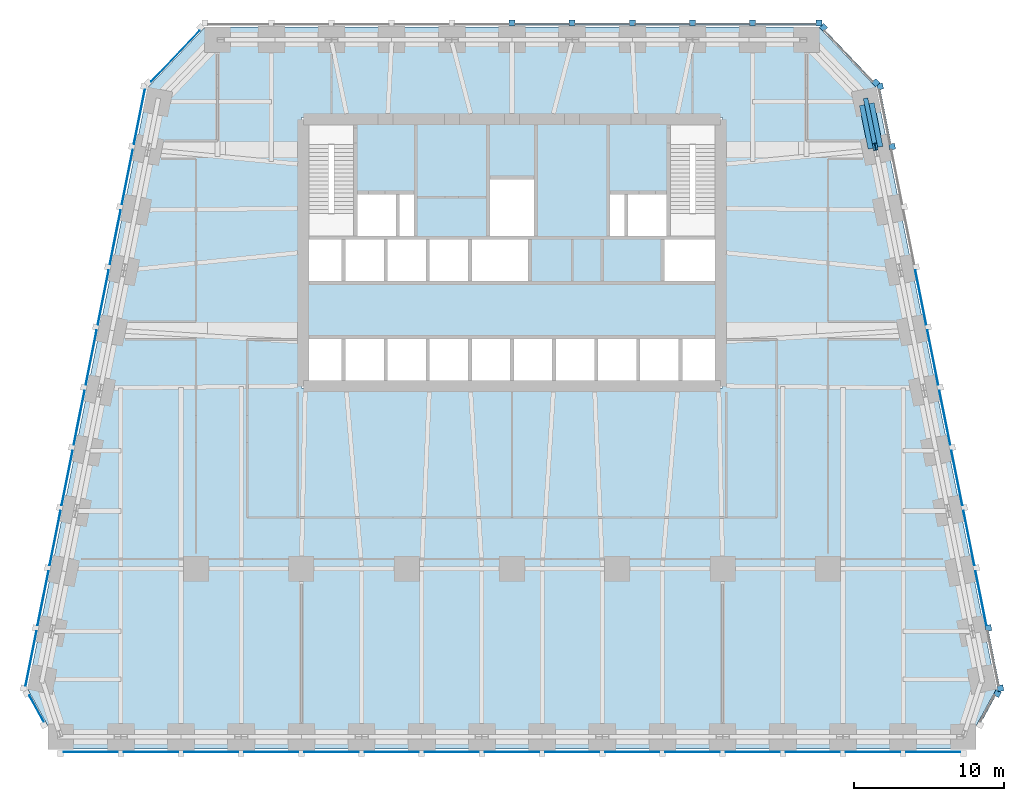
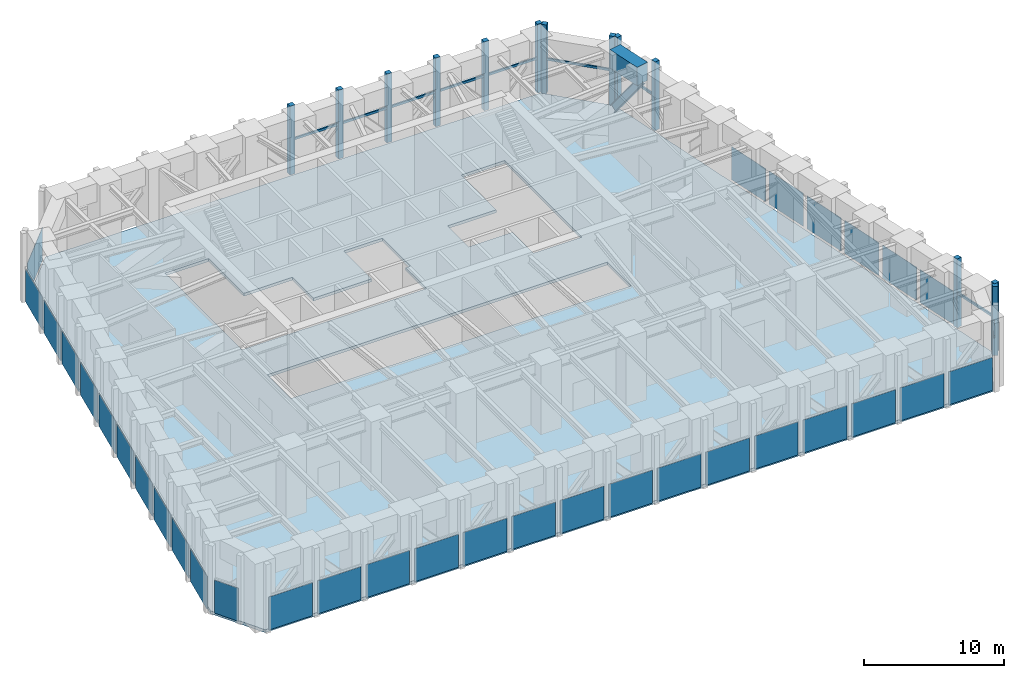
# One storey, part 5 of 9: 33 plates, 23 members, 1 beam, 1 slab, 8 elements without a shape of their own.
"""IFC4 building model written with IfcOpenShell, lengths in metres."""

from ifc_helpers import new_model, si_unit, direction, frame, origin, origin_2d, place, context, subcontext, project, spatial, polyline, rectangle, i_section, outline, extrude, material, layer, layer_set, material_profile, profile_set, type_object, element, aggregate, save


model = new_model("IFC4")

# Units and contexts
model_context = context("Model", 3, precision=1e-05, world=origin(), true_north=direction((0.0, 1.0)))
body_context = subcontext(model_context, "Body", "Model", "MODEL_VIEW")
ifc_project = project(units=[si_unit("LENGTHUNIT", "METRE"), si_unit("AREAUNIT", "SQUARE_METRE"), si_unit("VOLUMEUNIT", "CUBIC_METRE"), si_unit("PLANEANGLEUNIT", "RADIAN"), si_unit("MASSUNIT", "GRAM", prefix="KILO")], contexts=[model_context])

# Site, building, storey
site_placement = place(None, origin())
site = spatial("IfcSite", under=ifc_project, at=site_placement, CompositionType="ELEMENT")
building_placement = place(site_placement, origin())
building = spatial("IfcBuilding", under=site, at=building_placement, Name="Isbrekke Arena Tower", CompositionType="ELEMENT")
storey_placement = place(building_placement, frame((0.0, 0.0, 167.0)))
storey = spatial("IfcBuildingStorey", under=building, at=storey_placement, Name="L38", CompositionType="ELEMENT", Elevation=167.0)

# Member
ifc_material_1 = material(Name="Steel S355", Category="steel")
ifc_material_profile_1 = material_profile(ifc_material_1, i_section(OverallWidth=0.304931640625, OverallDepth=0.6201171875, WebThickness=0.02099609375, FlangeThickness=0.0400390625, FilletRadius=0.027099609375, at=origin_2d()), Name="HEM 600")
ifc_profile_set_1 = profile_set([ifc_material_profile_1], Name="Steel S355")
member_type_1 = type_object("IfcMemberType", Name="BT1 HEM 600", PredefinedType="BRACE", material=ifc_profile_set_1)
member_1_placement = place(storey_placement, frame((24.149658203125, 22.04443359375, 4.6220703125), z_axis=(-0.118343216485, 0.591764484557, -0.797376747798), x_axis=(-0.980583760369, -0.196100711116, 0.0)))
element("IfcMember", 1, at=member_1_placement, inside=storey, type_object=member_type_1, Name="BT1 belt truss diagonal E10 L38", PredefinedType="BRACE", context=body_context, shape_type="SweptSolid", body=[
    extrude(i_section(OverallWidth=0.304931640625, OverallDepth=0.6201171875, WebThickness=0.02099609375, FlangeThickness=0.0400390625, FilletRadius=0.027099609375, at=origin_2d()), origin(), (0.0, 0.0, 1.0), 5.0439453125),
])

# Curtain wall, member
ifc_material_2 = material(Name="Glazed aluminium curtain wall", Category="aluminium")
curtain_wall_type = type_object("IfcCurtainWallType", Name="CWR PLANT LOUVRE WALL", PredefinedType="USERDEFINED", material=ifc_material_2)
curtain_wall_1_placement = place(storey_placement, origin())
curtain_wall_1 = element("IfcCurtainWall", 2, at=curtain_wall_1_placement, inside=storey, type_object=curtain_wall_type, Name="CWR curtain wall L38-SE", ObjectType="PLANT LOUVRE WALL", PredefinedType="USERDEFINED")
ifc_material_3 = material(Name="Aluminium mullion, pale brick slip cladding", Category="masonry")
ifc_material_profile_2 = material_profile(ifc_material_3, rectangle(XDim=0.39990234375, YDim=0.39990234375, at=origin_2d()), Name="PIER 400X400")
ifc_profile_set_2 = profile_set([ifc_material_profile_2], Name="Aluminium mullion, pale brick slip cladding")
member_type_2 = type_object("IfcMemberType", Name="CWR-M PIER MULLION 400 x 400", PredefinedType="MULLION", material=ifc_profile_set_2)
member_2_placement = place(storey_placement, frame((32.264404296875, -14.2978515625, 0.0), z_axis=(0.0, 0.0, 1.0), x_axis=(0.481918749773, 0.876215908676, 0.0)))
member_2 = element("IfcMember", 3, at=member_2_placement, type_object=member_type_2, Name="CWR-M mullion 2", PredefinedType="MULLION", context=body_context, shape_type="SweptSolid", body=[
    extrude(rectangle(XDim=0.39990234375, YDim=0.39990234375, at=origin_2d()), origin(), (0.0, 0.0, 1.0), 6.0),
])

# Curtain wall, members
curtain_wall_2_placement = place(storey_placement, origin())
curtain_wall_2 = element("IfcCurtainWall", 4, at=curtain_wall_2_placement, inside=storey, type_object=curtain_wall_type, Name="CWR curtain wall L38-E", ObjectType="PLANT LOUVRE WALL", PredefinedType="USERDEFINED")
member_3_placement = place(storey_placement, frame((32.4697265625, -13.946044921875, 0.0), z_axis=(0.0, 0.0, 1.0), x_axis=(-0.196116135138, 0.980580675691, 0.0)))
member_3 = element("IfcMember", 5, at=member_3_placement, type_object=member_type_2, Name="CWR-M mullion 1", PredefinedType="MULLION", context=body_context, shape_type="SweptSolid", body=[
    extrude(rectangle(XDim=0.39990234375, YDim=0.39990234375, at=origin_2d()), origin(), (0.0, 0.0, 1.0), 6.0),
])
member_4_placement = place(storey_placement, frame((31.669677734375, -9.946044921875, 0.0), z_axis=(0.0, 0.0, 1.0), x_axis=(-0.196116135138, 0.980580675691, 0.0)))
member_4 = element("IfcMember", 6, at=member_4_placement, type_object=member_type_2, Name="CWR-M mullion 2", PredefinedType="MULLION", context=body_context, shape_type="SweptSolid", body=[
    extrude(rectangle(XDim=0.39990234375, YDim=0.39990234375, at=origin_2d()), origin(), (0.0, 0.0, 1.0), 6.0),
])
member_5_placement = place(storey_placement, frame((25.269775390625, 22.053955078125, 0.0), z_axis=(0.0, 0.0, 1.0), x_axis=(-0.196116135138, 0.980580675691, 0.0)))
member_5 = element("IfcMember", 7, at=member_5_placement, type_object=member_type_2, Name="CWR-M mullion 10", PredefinedType="MULLION", context=body_context, shape_type="SweptSolid", body=[
    extrude(rectangle(XDim=0.39990234375, YDim=0.39990234375, at=origin_2d()), origin(), (0.0, 0.0, 1.0), 6.0),
])
member_6_placement = place(storey_placement, frame((24.4697265625, 26.053955078125, 0.0), z_axis=(0.0, 0.0, 1.0), x_axis=(-0.196116135138, 0.980580675691, 0.0)))
member_6 = element("IfcMember", 8, at=member_6_placement, type_object=member_type_2, Name="CWR-M mullion 11", PredefinedType="MULLION", context=body_context, shape_type="SweptSolid", body=[
    extrude(rectangle(XDim=0.39990234375, YDim=0.39990234375, at=origin_2d()), origin(), (0.0, 0.0, 1.0), 6.0),
])

curtain_wall_3_placement = place(storey_placement, origin())
curtain_wall_3 = element("IfcCurtainWall", 9, at=curtain_wall_3_placement, inside=storey, type_object=curtain_wall_type, Name="CWR curtain wall L38-EN", ObjectType="PLANT LOUVRE WALL", PredefinedType="USERDEFINED")
member_7_placement = place(storey_placement, frame((24.189208984375, 26.3017578125, 0.0), z_axis=(0.0, 0.0, 1.0), x_axis=(-0.68874946192, 0.72499943359, 0.0)))
member_7 = element("IfcMember", 10, at=member_7_placement, type_object=member_type_2, Name="CWR-M mullion 1", PredefinedType="MULLION", context=body_context, shape_type="SweptSolid", body=[
    extrude(rectangle(XDim=0.39990234375, YDim=0.39990234375, at=origin_2d()), origin(), (0.0, 0.0, 1.0), 6.0),
])
member_8_placement = place(storey_placement, frame((20.705322265625, 29.968994140625, 0.0), z_axis=(0.0, 0.0, 1.0), x_axis=(-0.68874946192, 0.72499943359, 0.0)))
member_8 = element("IfcMember", 11, at=member_8_placement, type_object=member_type_2, Name="CWR-M mullion 2", PredefinedType="MULLION", context=body_context, shape_type="SweptSolid", body=[
    extrude(rectangle(XDim=0.39990234375, YDim=0.39990234375, at=origin_2d()), origin(), (0.0, 0.0, 1.0), 6.0),
])

curtain_wall_4_placement = place(storey_placement, origin())
curtain_wall_4 = element("IfcCurtainWall", 12, at=curtain_wall_4_placement, inside=storey, type_object=curtain_wall_type, Name="CWR curtain wall L38-N", ObjectType="PLANT LOUVRE WALL", PredefinedType="USERDEFINED")
member_9_placement = place(storey_placement, frame((20.39990234375, 30.27490234375, 0.0), z_axis=(0.0, 0.0, 1.0), x_axis=(-1.0, 0.0, 0.0)))
member_9 = element("IfcMember", 13, at=member_9_placement, type_object=member_type_2, Name="CWR-M mullion 1", PredefinedType="MULLION", context=body_context, shape_type="SweptSolid", body=[
    extrude(rectangle(XDim=0.39990234375, YDim=0.39990234375, at=origin_2d()), origin(), (0.0, 0.0, 1.0), 6.0),
])
member_10_placement = place(storey_placement, frame((16.0, 30.27490234375, 0.0), z_axis=(0.0, 0.0, 1.0), x_axis=(-1.0, 0.0, 0.0)))
member_10 = element("IfcMember", 14, at=member_10_placement, type_object=member_type_2, Name="CWR-M mullion 2", PredefinedType="MULLION", context=body_context, shape_type="SweptSolid", body=[
    extrude(rectangle(XDim=0.39990234375, YDim=0.39990234375, at=origin_2d()), origin(), (0.0, 0.0, 1.0), 6.0),
])
member_11_placement = place(storey_placement, frame((12.0, 30.27490234375, 0.0), z_axis=(0.0, 0.0, 1.0), x_axis=(-1.0, 0.0, 0.0)))
member_11 = element("IfcMember", 15, at=member_11_placement, type_object=member_type_2, Name="CWR-M mullion 3", PredefinedType="MULLION", context=body_context, shape_type="SweptSolid", body=[
    extrude(rectangle(XDim=0.39990234375, YDim=0.39990234375, at=origin_2d()), origin(), (0.0, 0.0, 1.0), 6.0),
])
member_12_placement = place(storey_placement, frame((8.0, 30.27490234375, 0.0), z_axis=(0.0, 0.0, 1.0), x_axis=(-1.0, 0.0, 0.0)))
member_12 = element("IfcMember", 16, at=member_12_placement, type_object=member_type_2, Name="CWR-M mullion 4", PredefinedType="MULLION", context=body_context, shape_type="SweptSolid", body=[
    extrude(rectangle(XDim=0.39990234375, YDim=0.39990234375, at=origin_2d()), origin(), (0.0, 0.0, 1.0), 6.0),
])
member_13_placement = place(storey_placement, frame((4.0, 30.27490234375, 0.0), z_axis=(0.0, 0.0, 1.0), x_axis=(-1.0, 0.0, 0.0)))
member_13 = element("IfcMember", 17, at=member_13_placement, type_object=member_type_2, Name="CWR-M mullion 5", PredefinedType="MULLION", context=body_context, shape_type="SweptSolid", body=[
    extrude(rectangle(XDim=0.39990234375, YDim=0.39990234375, at=origin_2d()), origin(), (0.0, 0.0, 1.0), 6.0),
])
member_14_placement = place(storey_placement, frame((0.0, 30.27490234375, 0.0), z_axis=(0.0, 0.0, 1.0), x_axis=(-1.0, 0.0, 0.0)))
member_14 = element("IfcMember", 18, at=member_14_placement, type_object=member_type_2, Name="CWR-M mullion 6", PredefinedType="MULLION", context=body_context, shape_type="SweptSolid", body=[
    extrude(rectangle(XDim=0.39990234375, YDim=0.39990234375, at=origin_2d()), origin(), (0.0, 0.0, 1.0), 6.0),
])

# Member
ifc_material_4 = material(Name="Aluminium transom", Category="aluminium")
ifc_material_profile_3 = material_profile(ifc_material_4, rectangle(XDim=0.1201171875, YDim=0.199951171875, at=origin_2d()), Name="TRANSOM 120X200")
ifc_profile_set_3 = profile_set([ifc_material_profile_3], Name="Aluminium transom")
member_type_3 = type_object("IfcMemberType", Name="CWR-T TRANSOM 120 x 200", PredefinedType="USERDEFINED", material=ifc_profile_set_3)
member_15_placement = place(storey_placement, frame((31.128173828125, -16.156494140625, 3.0), z_axis=(0.481904523192, 0.876223733145, 0.0), x_axis=(-0.876223733145, 0.481904523192, 0.0)))
member_15 = element("IfcMember", 19, at=member_15_placement, type_object=member_type_3, Name="CWR-T transom 1", ObjectType="TRANSOM", PredefinedType="USERDEFINED", context=body_context, shape_type="SweptSolid", body=[
    extrude(rectangle(XDim=0.1201171875, YDim=0.199951171875, at=origin_2d()), origin(), (0.0, 0.0, 1.0), 1.976318359375),
])

aggregate(curtain_wall_1, [member_2, member_15])

member_16_placement = place(storey_placement, frame((32.332275390625, -13.76953125, 3.0), z_axis=(-0.19609061241, 0.980585779891, 0.0), x_axis=(-0.980585779891, -0.19609061241, 0.0)))
member_16 = element("IfcMember", 20, at=member_16_placement, type_object=member_type_3, Name="CWR-T transom 1", ObjectType="TRANSOM", PredefinedType="USERDEFINED", context=body_context, shape_type="SweptSolid", body=[
    extrude(rectangle(XDim=0.1201171875, YDim=0.199951171875, at=origin_2d()), origin(), (0.0, 0.0, 1.0), 3.67919921875),
])

member_17_placement = place(storey_placement, frame((25.13232421875, 22.23046875, 3.0), z_axis=(-0.19609061241, 0.980585779891, 0.0), x_axis=(-0.980585779891, -0.19609061241, 0.0)))
member_17 = element("IfcMember", 21, at=member_17_placement, type_object=member_type_3, Name="CWR-T transom 10", ObjectType="TRANSOM", PredefinedType="USERDEFINED", context=body_context, shape_type="SweptSolid", body=[
    extrude(rectangle(XDim=0.1201171875, YDim=0.199951171875, at=origin_2d()), origin(), (0.0, 0.0, 1.0), 3.67919921875),
])

member_18_placement = place(storey_placement, frame((23.97900390625, 26.3779296875, 3.0), z_axis=(-0.688767367755, 0.724982422626, 0.0), x_axis=(-0.724982422626, -0.688767367755, 0.0)))
member_18 = element("IfcMember", 22, at=member_18_placement, type_object=member_type_3, Name="CWR-T transom 1", ObjectType="TRANSOM", PredefinedType="USERDEFINED", context=body_context, shape_type="SweptSolid", body=[
    extrude(rectangle(XDim=0.1201171875, YDim=0.199951171875, at=origin_2d()), origin(), (0.0, 0.0, 1.0), 4.658203125),
])

aggregate(curtain_wall_3, [member_7, member_8, member_18])

member_19_placement = place(storey_placement, frame((20.199951171875, 30.175048828125, 3.0), z_axis=(-1.0, 0.0, 0.0), x_axis=(0.0, -1.0, 0.0)))
member_19 = element("IfcMember", 23, at=member_19_placement, type_object=member_type_3, Name="CWR-T transom 1", ObjectType="TRANSOM", PredefinedType="USERDEFINED", context=body_context, shape_type="SweptSolid", body=[
    extrude(rectangle(XDim=0.1201171875, YDim=0.199951171875, at=origin_2d()), origin(), (0.0, 0.0, 1.0), 4.0),
])

member_20_placement = place(storey_placement, frame((15.800048828125, 30.175048828125, 3.0), z_axis=(-1.0, 0.0, 0.0), x_axis=(0.0, -1.0, 0.0)))
member_20 = element("IfcMember", 24, at=member_20_placement, type_object=member_type_3, Name="CWR-T transom 2", ObjectType="TRANSOM", PredefinedType="USERDEFINED", context=body_context, shape_type="SweptSolid", body=[
    extrude(rectangle(XDim=0.1201171875, YDim=0.199951171875, at=origin_2d()), origin(), (0.0, 0.0, 1.0), 3.60009765625),
])

member_21_placement = place(storey_placement, frame((11.800048828125, 30.175048828125, 3.0), z_axis=(-1.0, 0.0, 0.0), x_axis=(0.0, -1.0, 0.0)))
member_21 = element("IfcMember", 25, at=member_21_placement, type_object=member_type_3, Name="CWR-T transom 3", ObjectType="TRANSOM", PredefinedType="USERDEFINED", context=body_context, shape_type="SweptSolid", body=[
    extrude(rectangle(XDim=0.1201171875, YDim=0.199951171875, at=origin_2d()), origin(), (0.0, 0.0, 1.0), 3.60009765625),
])

member_22_placement = place(storey_placement, frame((7.800048828125, 30.175048828125, 3.0), z_axis=(-1.0, 0.0, 0.0), x_axis=(0.0, -1.0, 0.0)))
member_22 = element("IfcMember", 26, at=member_22_placement, type_object=member_type_3, Name="CWR-T transom 4", ObjectType="TRANSOM", PredefinedType="USERDEFINED", context=body_context, shape_type="SweptSolid", body=[
    extrude(rectangle(XDim=0.1201171875, YDim=0.199951171875, at=origin_2d()), origin(), (0.0, 0.0, 1.0), 3.60009765625),
])

member_23_placement = place(storey_placement, frame((3.800048828125, 30.175048828125, 3.0), z_axis=(-1.0, 0.0, 0.0), x_axis=(0.0, -1.0, 0.0)))
member_23 = element("IfcMember", 27, at=member_23_placement, type_object=member_type_3, Name="CWR-T transom 5", ObjectType="TRANSOM", PredefinedType="USERDEFINED", context=body_context, shape_type="SweptSolid", body=[
    extrude(rectangle(XDim=0.1201171875, YDim=0.199951171875, at=origin_2d()), origin(), (0.0, 0.0, 1.0), 3.60009765625),
])

aggregate(curtain_wall_4, [member_9, member_10, member_11, member_12, member_13, member_14, member_19, member_20, member_21, member_22, member_23])

# Beam
ifc_material_5 = material(Name="Concrete B80 (C80/95)", Category="concrete")
ifc_material_profile_4 = material_profile(ifc_material_5, rectangle(XDim=1.0, YDim=1.60009765625, at=origin_2d()), Name="RC 1000x1600")
ifc_profile_set_4 = profile_set([ifc_material_profile_4], Name="Concrete B80 (C80/95)")
beam_type = type_object("IfcBeamType", Name="SB2 RC 1000 x 1600", PredefinedType="SPANDREL", material=ifc_profile_set_4)
beam_placement = place(storey_placement, frame((24.16162109375, 21.9853515625, 5.199951171875), z_axis=(-0.196116135138, 0.980580675691, 0.0), x_axis=(-0.980580675691, -0.196116135138, 0.0)))
element("IfcBeam", 28, at=beam_placement, inside=storey, type_object=beam_type, Name="SB2 spandrel E10-E11 L38", PredefinedType="SPANDREL", context=body_context, shape_type="SweptSolid", body=[
    extrude(rectangle(XDim=1.0, YDim=1.60009765625, at=origin_2d()), origin(), (0.0, 0.0, 1.0), 2.9541015625),
])

# Curtain wall, plates
curtain_wall_5_placement = place(storey_placement, origin())
curtain_wall_5 = element("IfcCurtainWall", 29, at=curtain_wall_5_placement, inside=storey, type_object=curtain_wall_type, Name="CWR curtain wall L38-S", ObjectType="PLANT LOUVRE WALL", PredefinedType="USERDEFINED")
ifc_material_6 = material(Name="Aluminium louvre", Category="aluminium")
ifc_layer_1 = layer(ifc_material_6, 0.031982421875)
ifc_layer_set_1 = layer_set([ifc_layer_1], Name="CWR-P LOUVRE PANEL")
plate_type = type_object("IfcPlateType", Name="CWR-P LOUVRE PANEL", PredefinedType="CURTAIN_PANEL", material=ifc_layer_set_1)
plate_1_placement = place(storey_placement, frame((-28.0, -18.175048828125, 0.02001953125), z_axis=(0.0, 0.0, 1.0), x_axis=(1.0, 0.0, 0.0)))
plate_1 = element("IfcPlate", 30, at=plate_1_placement, type_object=plate_type, Name="CWR-P panel 1", PredefinedType="CURTAIN_PANEL", context=body_context, shape_type="SweptSolid", body=[
    extrude(rectangle(XDim=3.60009765625, YDim=0.031982421875, at=origin_2d()), origin(), (0.0, 0.0, 1.0), 2.8798828125),
])
plate_2_placement = place(storey_placement, frame((-24.0, -18.175048828125, 0.02001953125), z_axis=(0.0, 0.0, 1.0), x_axis=(1.0, 0.0, 0.0)))
plate_2 = element("IfcPlate", 31, at=plate_2_placement, type_object=plate_type, Name="CWR-P panel 2", PredefinedType="CURTAIN_PANEL", context=body_context, shape_type="SweptSolid", body=[
    extrude(rectangle(XDim=3.60009765625, YDim=0.031982421875, at=origin_2d()), origin(), (0.0, 0.0, 1.0), 2.8798828125),
])
plate_3_placement = place(storey_placement, frame((-20.0, -18.175048828125, 0.02001953125), z_axis=(0.0, 0.0, 1.0), x_axis=(1.0, 0.0, 0.0)))
plate_3 = element("IfcPlate", 32, at=plate_3_placement, type_object=plate_type, Name="CWR-P panel 3", PredefinedType="CURTAIN_PANEL", context=body_context, shape_type="SweptSolid", body=[
    extrude(rectangle(XDim=3.60009765625, YDim=0.031982421875, at=origin_2d()), origin(), (0.0, 0.0, 1.0), 2.8798828125),
])
plate_4_placement = place(storey_placement, frame((-16.0, -18.175048828125, 0.02001953125), z_axis=(0.0, 0.0, 1.0), x_axis=(1.0, 0.0, 0.0)))
plate_4 = element("IfcPlate", 33, at=plate_4_placement, type_object=plate_type, Name="CWR-P panel 4", PredefinedType="CURTAIN_PANEL", context=body_context, shape_type="SweptSolid", body=[
    extrude(rectangle(XDim=3.60009765625, YDim=0.031982421875, at=origin_2d()), origin(), (0.0, 0.0, 1.0), 2.8798828125),
])
plate_5_placement = place(storey_placement, frame((-12.0, -18.175048828125, 0.02001953125), z_axis=(0.0, 0.0, 1.0), x_axis=(1.0, 0.0, 0.0)))
plate_5 = element("IfcPlate", 34, at=plate_5_placement, type_object=plate_type, Name="CWR-P panel 5", PredefinedType="CURTAIN_PANEL", context=body_context, shape_type="SweptSolid", body=[
    extrude(rectangle(XDim=3.60009765625, YDim=0.031982421875, at=origin_2d()), origin(), (0.0, 0.0, 1.0), 2.8798828125),
])
plate_6_placement = place(storey_placement, frame((-8.0, -18.175048828125, 0.02001953125), z_axis=(0.0, 0.0, 1.0), x_axis=(1.0, 0.0, 0.0)))
plate_6 = element("IfcPlate", 35, at=plate_6_placement, type_object=plate_type, Name="CWR-P panel 6", PredefinedType="CURTAIN_PANEL", context=body_context, shape_type="SweptSolid", body=[
    extrude(rectangle(XDim=3.60009765625, YDim=0.031982421875, at=origin_2d()), origin(), (0.0, 0.0, 1.0), 2.8798828125),
])
plate_7_placement = place(storey_placement, frame((-4.0, -18.175048828125, 0.02001953125), z_axis=(0.0, 0.0, 1.0), x_axis=(1.0, 0.0, 0.0)))
plate_7 = element("IfcPlate", 36, at=plate_7_placement, type_object=plate_type, Name="CWR-P panel 7", PredefinedType="CURTAIN_PANEL", context=body_context, shape_type="SweptSolid", body=[
    extrude(rectangle(XDim=3.60009765625, YDim=0.031982421875, at=origin_2d()), origin(), (0.0, 0.0, 1.0), 2.8798828125),
])
plate_8_placement = place(storey_placement, frame((0.0, -18.175048828125, 0.02001953125), z_axis=(0.0, 0.0, 1.0), x_axis=(1.0, 0.0, 0.0)))
plate_8 = element("IfcPlate", 37, at=plate_8_placement, type_object=plate_type, Name="CWR-P panel 8", PredefinedType="CURTAIN_PANEL", context=body_context, shape_type="SweptSolid", body=[
    extrude(rectangle(XDim=3.60009765625, YDim=0.031982421875, at=origin_2d()), origin(), (0.0, 0.0, 1.0), 2.8798828125),
])
plate_9_placement = place(storey_placement, frame((4.0, -18.175048828125, 0.02001953125), z_axis=(0.0, 0.0, 1.0), x_axis=(1.0, 0.0, 0.0)))
plate_9 = element("IfcPlate", 38, at=plate_9_placement, type_object=plate_type, Name="CWR-P panel 9", PredefinedType="CURTAIN_PANEL", context=body_context, shape_type="SweptSolid", body=[
    extrude(rectangle(XDim=3.60009765625, YDim=0.031982421875, at=origin_2d()), origin(), (0.0, 0.0, 1.0), 2.8798828125),
])
plate_10_placement = place(storey_placement, frame((8.0, -18.175048828125, 0.02001953125), z_axis=(0.0, 0.0, 1.0), x_axis=(1.0, 0.0, 0.0)))
plate_10 = element("IfcPlate", 39, at=plate_10_placement, type_object=plate_type, Name="CWR-P panel 10", PredefinedType="CURTAIN_PANEL", context=body_context, shape_type="SweptSolid", body=[
    extrude(rectangle(XDim=3.60009765625, YDim=0.031982421875, at=origin_2d()), origin(), (0.0, 0.0, 1.0), 2.8798828125),
])
plate_11_placement = place(storey_placement, frame((12.0, -18.175048828125, 0.02001953125), z_axis=(0.0, 0.0, 1.0), x_axis=(1.0, 0.0, 0.0)))
plate_11 = element("IfcPlate", 40, at=plate_11_placement, type_object=plate_type, Name="CWR-P panel 11", PredefinedType="CURTAIN_PANEL", context=body_context, shape_type="SweptSolid", body=[
    extrude(rectangle(XDim=3.60009765625, YDim=0.031982421875, at=origin_2d()), origin(), (0.0, 0.0, 1.0), 2.8798828125),
])
plate_12_placement = place(storey_placement, frame((16.0, -18.175048828125, 0.02001953125), z_axis=(0.0, 0.0, 1.0), x_axis=(1.0, 0.0, 0.0)))
plate_12 = element("IfcPlate", 41, at=plate_12_placement, type_object=plate_type, Name="CWR-P panel 12", PredefinedType="CURTAIN_PANEL", context=body_context, shape_type="SweptSolid", body=[
    extrude(rectangle(XDim=3.60009765625, YDim=0.031982421875, at=origin_2d()), origin(), (0.0, 0.0, 1.0), 2.8798828125),
])
plate_13_placement = place(storey_placement, frame((20.0, -18.175048828125, 0.02001953125), z_axis=(0.0, 0.0, 1.0), x_axis=(1.0, 0.0, 0.0)))
plate_13 = element("IfcPlate", 42, at=plate_13_placement, type_object=plate_type, Name="CWR-P panel 13", PredefinedType="CURTAIN_PANEL", context=body_context, shape_type="SweptSolid", body=[
    extrude(rectangle(XDim=3.60009765625, YDim=0.031982421875, at=origin_2d()), origin(), (0.0, 0.0, 1.0), 2.8798828125),
])
plate_14_placement = place(storey_placement, frame((24.0, -18.175048828125, 0.02001953125), z_axis=(0.0, 0.0, 1.0), x_axis=(1.0, 0.0, 0.0)))
plate_14 = element("IfcPlate", 43, at=plate_14_placement, type_object=plate_type, Name="CWR-P panel 14", PredefinedType="CURTAIN_PANEL", context=body_context, shape_type="SweptSolid", body=[
    extrude(rectangle(XDim=3.60009765625, YDim=0.031982421875, at=origin_2d()), origin(), (0.0, 0.0, 1.0), 2.8798828125),
])
plate_15_placement = place(storey_placement, frame((28.0, -18.175048828125, 0.02001953125), z_axis=(0.0, 0.0, 1.0), x_axis=(1.0, 0.0, 0.0)))
plate_15 = element("IfcPlate", 44, at=plate_15_placement, type_object=plate_type, Name="CWR-P panel 15", PredefinedType="CURTAIN_PANEL", context=body_context, shape_type="SweptSolid", body=[
    extrude(rectangle(XDim=3.60009765625, YDim=0.031982421875, at=origin_2d()), origin(), (0.0, 0.0, 1.0), 2.8798828125),
])
aggregate(curtain_wall_5, [plate_1, plate_2, plate_3, plate_4, plate_5, plate_6, plate_7, plate_8, plate_9, plate_10, plate_11, plate_12, plate_13, plate_14, plate_15])

# Plate
plate_16_placement = place(storey_placement, frame((31.171630859375, -7.965576171875, 0.02001953125), z_axis=(0.0, 0.0, 1.0), x_axis=(-0.196116135138, 0.980580675691, 0.0)))
plate_16 = element("IfcPlate", 45, at=plate_16_placement, type_object=plate_type, Name="CWR-P panel 2", PredefinedType="CURTAIN_PANEL", context=body_context, shape_type="SweptSolid", body=[
    extrude(rectangle(XDim=3.67919921875, YDim=0.031982421875, at=origin_2d()), origin(), (0.0, 0.0, 1.0), 2.8798828125),
])

plate_17_placement = place(storey_placement, frame((30.37158203125, -3.965576171875, 0.02001953125), z_axis=(0.0, 0.0, 1.0), x_axis=(-0.196116135138, 0.980580675691, 0.0)))
plate_17 = element("IfcPlate", 46, at=plate_17_placement, type_object=plate_type, Name="CWR-P panel 3", PredefinedType="CURTAIN_PANEL", context=body_context, shape_type="SweptSolid", body=[
    extrude(rectangle(XDim=3.67919921875, YDim=0.031982421875, at=origin_2d()), origin(), (0.0, 0.0, 1.0), 2.8798828125),
])

plate_18_placement = place(storey_placement, frame((29.571533203125, 0.034423828125, 0.02001953125), z_axis=(0.0, 0.0, 1.0), x_axis=(-0.196116135138, 0.980580675691, 0.0)))
plate_18 = element("IfcPlate", 47, at=plate_18_placement, type_object=plate_type, Name="CWR-P panel 4", PredefinedType="CURTAIN_PANEL", context=body_context, shape_type="SweptSolid", body=[
    extrude(rectangle(XDim=3.67919921875, YDim=0.031982421875, at=origin_2d()), origin(), (0.0, 0.0, 1.0), 2.8798828125),
])

plate_19_placement = place(storey_placement, frame((28.771484375, 4.034423828125, 0.02001953125), z_axis=(0.0, 0.0, 1.0), x_axis=(-0.196116135138, 0.980580675691, 0.0)))
plate_19 = element("IfcPlate", 48, at=plate_19_placement, type_object=plate_type, Name="CWR-P panel 5", PredefinedType="CURTAIN_PANEL", context=body_context, shape_type="SweptSolid", body=[
    extrude(rectangle(XDim=3.67919921875, YDim=0.031982421875, at=origin_2d()), origin(), (0.0, 0.0, 1.0), 2.8798828125),
])

plate_20_placement = place(storey_placement, frame((27.9716796875, 8.034423828125, 0.02001953125), z_axis=(0.0, 0.0, 1.0), x_axis=(-0.196116135138, 0.980580675691, 0.0)))
plate_20 = element("IfcPlate", 49, at=plate_20_placement, type_object=plate_type, Name="CWR-P panel 6", PredefinedType="CURTAIN_PANEL", context=body_context, shape_type="SweptSolid", body=[
    extrude(rectangle(XDim=3.67919921875, YDim=0.031982421875, at=origin_2d()), origin(), (0.0, 0.0, 1.0), 2.8798828125),
])

plate_21_placement = place(storey_placement, frame((27.171630859375, 12.034423828125, 0.02001953125), z_axis=(0.0, 0.0, 1.0), x_axis=(-0.196116135138, 0.980580675691, 0.0)))
plate_21 = element("IfcPlate", 50, at=plate_21_placement, type_object=plate_type, Name="CWR-P panel 7", PredefinedType="CURTAIN_PANEL", context=body_context, shape_type="SweptSolid", body=[
    extrude(rectangle(XDim=3.67919921875, YDim=0.031982421875, at=origin_2d()), origin(), (0.0, 0.0, 1.0), 2.8798828125),
])

aggregate(curtain_wall_2, [member_3, member_4, member_5, member_6, member_16, plate_16, plate_17, plate_18, plate_19, plate_20, plate_21, member_17])

# Curtain wall, plate
curtain_wall_6_placement = place(storey_placement, origin())
curtain_wall_6 = element("IfcCurtainWall", 51, at=curtain_wall_6_placement, inside=storey, type_object=curtain_wall_type, Name="CWR curtain wall L38-NW", ObjectType="PLANT LOUVRE WALL", PredefinedType="USERDEFINED")
plate_22_placement = place(storey_placement, frame((-22.37451171875, 28.066650390625, 0.02001953125), z_axis=(0.0, 0.0, 1.0), x_axis=(-0.68874946192, -0.72499943359, 0.0)))
plate_22 = element("IfcPlate", 52, at=plate_22_placement, type_object=plate_type, Name="CWR-P panel 1", PredefinedType="CURTAIN_PANEL", context=body_context, shape_type="SweptSolid", body=[
    extrude(rectangle(XDim=4.6572265625, YDim=0.031982421875, at=origin_2d()), origin(), (0.0, 0.0, 1.0), 2.8798828125),
])
aggregate(curtain_wall_6, [plate_22])

# Curtain wall, plates
curtain_wall_7_placement = place(storey_placement, origin())
curtain_wall_7 = element("IfcCurtainWall", 53, at=curtain_wall_7_placement, inside=storey, type_object=curtain_wall_type, Name="CWR curtain wall L38-W", ObjectType="PLANT LOUVRE WALL", PredefinedType="USERDEFINED")
plate_23_placement = place(storey_placement, frame((-24.771484375, 24.034423828125, 0.02001953125), z_axis=(0.0, 0.0, 1.0), x_axis=(-0.196116135138, -0.980580675691, 0.0)))
plate_23 = element("IfcPlate", 54, at=plate_23_placement, type_object=plate_type, Name="CWR-P panel 1", PredefinedType="CURTAIN_PANEL", context=body_context, shape_type="SweptSolid", body=[
    extrude(rectangle(XDim=3.67919921875, YDim=0.031982421875, at=origin_2d()), origin(), (0.0, 0.0, 1.0), 2.8798828125),
])
plate_24_placement = place(storey_placement, frame((-25.571533203125, 20.034423828125, 0.02001953125), z_axis=(0.0, 0.0, 1.0), x_axis=(-0.196116135138, -0.980580675691, 0.0)))
plate_24 = element("IfcPlate", 55, at=plate_24_placement, type_object=plate_type, Name="CWR-P panel 2", PredefinedType="CURTAIN_PANEL", context=body_context, shape_type="SweptSolid", body=[
    extrude(rectangle(XDim=3.67919921875, YDim=0.031982421875, at=origin_2d()), origin(), (0.0, 0.0, 1.0), 2.8798828125),
])
plate_25_placement = place(storey_placement, frame((-26.37158203125, 16.034423828125, 0.02001953125), z_axis=(0.0, 0.0, 1.0), x_axis=(-0.196116135138, -0.980580675691, 0.0)))
plate_25 = element("IfcPlate", 56, at=plate_25_placement, type_object=plate_type, Name="CWR-P panel 3", PredefinedType="CURTAIN_PANEL", context=body_context, shape_type="SweptSolid", body=[
    extrude(rectangle(XDim=3.67919921875, YDim=0.031982421875, at=origin_2d()), origin(), (0.0, 0.0, 1.0), 2.8798828125),
])
plate_26_placement = place(storey_placement, frame((-27.171630859375, 12.034423828125, 0.02001953125), z_axis=(0.0, 0.0, 1.0), x_axis=(-0.196116135138, -0.980580675691, 0.0)))
plate_26 = element("IfcPlate", 57, at=plate_26_placement, type_object=plate_type, Name="CWR-P panel 4", PredefinedType="CURTAIN_PANEL", context=body_context, shape_type="SweptSolid", body=[
    extrude(rectangle(XDim=3.67919921875, YDim=0.031982421875, at=origin_2d()), origin(), (0.0, 0.0, 1.0), 2.8798828125),
])
plate_27_placement = place(storey_placement, frame((-27.9716796875, 8.034423828125, 0.02001953125), z_axis=(0.0, 0.0, 1.0), x_axis=(-0.196116135138, -0.980580675691, 0.0)))
plate_27 = element("IfcPlate", 58, at=plate_27_placement, type_object=plate_type, Name="CWR-P panel 5", PredefinedType="CURTAIN_PANEL", context=body_context, shape_type="SweptSolid", body=[
    extrude(rectangle(XDim=3.67919921875, YDim=0.031982421875, at=origin_2d()), origin(), (0.0, 0.0, 1.0), 2.8798828125),
])
plate_28_placement = place(storey_placement, frame((-28.771484375, 4.034423828125, 0.02001953125), z_axis=(0.0, 0.0, 1.0), x_axis=(-0.196116135138, -0.980580675691, 0.0)))
plate_28 = element("IfcPlate", 59, at=plate_28_placement, type_object=plate_type, Name="CWR-P panel 6", PredefinedType="CURTAIN_PANEL", context=body_context, shape_type="SweptSolid", body=[
    extrude(rectangle(XDim=3.67919921875, YDim=0.031982421875, at=origin_2d()), origin(), (0.0, 0.0, 1.0), 2.8798828125),
])
plate_29_placement = place(storey_placement, frame((-29.571533203125, 0.034423828125, 0.02001953125), z_axis=(0.0, 0.0, 1.0), x_axis=(-0.196116135138, -0.980580675691, 0.0)))
plate_29 = element("IfcPlate", 60, at=plate_29_placement, type_object=plate_type, Name="CWR-P panel 7", PredefinedType="CURTAIN_PANEL", context=body_context, shape_type="SweptSolid", body=[
    extrude(rectangle(XDim=3.67919921875, YDim=0.031982421875, at=origin_2d()), origin(), (0.0, 0.0, 1.0), 2.8798828125),
])
plate_30_placement = place(storey_placement, frame((-30.37158203125, -3.965576171875, 0.02001953125), z_axis=(0.0, 0.0, 1.0), x_axis=(-0.196116135138, -0.980580675691, 0.0)))
plate_30 = element("IfcPlate", 61, at=plate_30_placement, type_object=plate_type, Name="CWR-P panel 8", PredefinedType="CURTAIN_PANEL", context=body_context, shape_type="SweptSolid", body=[
    extrude(rectangle(XDim=3.67919921875, YDim=0.031982421875, at=origin_2d()), origin(), (0.0, 0.0, 1.0), 2.8798828125),
])
plate_31_placement = place(storey_placement, frame((-31.171630859375, -7.965576171875, 0.02001953125), z_axis=(0.0, 0.0, 1.0), x_axis=(-0.196116135138, -0.980580675691, 0.0)))
plate_31 = element("IfcPlate", 62, at=plate_31_placement, type_object=plate_type, Name="CWR-P panel 9", PredefinedType="CURTAIN_PANEL", context=body_context, shape_type="SweptSolid", body=[
    extrude(rectangle(XDim=3.67919921875, YDim=0.031982421875, at=origin_2d()), origin(), (0.0, 0.0, 1.0), 2.8798828125),
])
plate_32_placement = place(storey_placement, frame((-31.9716796875, -11.965576171875, 0.02001953125), z_axis=(0.0, 0.0, 1.0), x_axis=(-0.196116135138, -0.980580675691, 0.0)))
plate_32 = element("IfcPlate", 63, at=plate_32_placement, type_object=plate_type, Name="CWR-P panel 10", PredefinedType="CURTAIN_PANEL", context=body_context, shape_type="SweptSolid", body=[
    extrude(rectangle(XDim=3.67919921875, YDim=0.031982421875, at=origin_2d()), origin(), (0.0, 0.0, 1.0), 2.8798828125),
])
aggregate(curtain_wall_7, [plate_23, plate_24, plate_25, plate_26, plate_27, plate_28, plate_29, plate_30, plate_31, plate_32])

# Curtain wall, plate
curtain_wall_8_placement = place(storey_placement, origin())
curtain_wall_8 = element("IfcCurtainWall", 64, at=curtain_wall_8_placement, inside=storey, type_object=curtain_wall_type, Name="CWR curtain wall L38-WS", ObjectType="PLANT LOUVRE WALL", PredefinedType="USERDEFINED")
plate_33_placement = place(storey_placement, frame((-31.60400390625, -15.291015625, 0.02001953125), z_axis=(0.0, 0.0, 1.0), x_axis=(0.481918749773, -0.876215908676, 0.0)))
plate_33 = element("IfcPlate", 65, at=plate_33_placement, type_object=plate_type, Name="CWR-P panel 1", PredefinedType="CURTAIN_PANEL", context=body_context, shape_type="SweptSolid", body=[
    extrude(rectangle(XDim=1.97802734375, YDim=0.031982421875, at=origin_2d()), origin(), (0.0, 0.0, 1.0), 2.8798828125),
])
aggregate(curtain_wall_8, [plate_33])

# Slab
ifc_material_7 = material(Name="Concrete B35 (C35/45)", Category="concrete")
ifc_layer_2 = layer(ifc_material_7, 0.25)
ifc_layer_set_2 = layer_set([ifc_layer_2], Name="FS2 PLANT FLOOR 250")
slab_type = type_object("IfcSlabType", Name="FS2 PLANT FLOOR 250", PredefinedType="FLOOR", material=ifc_layer_set_2)
slab_placement = place(storey_placement, frame((0.0, 0.0, -0.25)))
element("IfcSlab", 66, at=slab_placement, inside=storey, type_object=slab_type, Name="FS2 floor slab L38", PredefinedType="FLOOR", context=body_context, shape_type="SweptSolid", body=[
    extrude(outline(polyline([(-30.0, -18.0), (30.0, -18.0), (32.199951171875, -14.0), (24.199951171875, 26.0), (20.39990234375, 30.0), (-20.39990234375, 30.0), (-24.199951171875, 26.0), (-32.199951171875, -14.0), (-30.0, -18.0)]), holes=[polyline([(14.0, 9.39990234375), (14.0, 6.0), (-14.0, 6.0), (-14.0, 9.39990234375), (14.0, 9.39990234375)]), polyline([(-6.39990234375, 19.0), (-6.39990234375, 16.0), (-1.60009765625, 16.0), (-1.60009765625, 20.0), (1.60009765625, 20.0), (1.60009765625, 16.0), (1.199951171875, 16.0), (1.199951171875, 13.0), (-14.0, 13.0), (-14.0, 24.0), (-10.39990234375, 24.0), (-10.39990234375, 19.0), (-6.39990234375, 19.0)]), polyline([(10.0, 13.0), (10.0, 16.0), (6.39990234375, 16.0), (6.39990234375, 19.0), (10.39990234375, 19.0), (10.39990234375, 24.0), (14.0, 24.0), (14.0, 13.0), (10.0, 13.0)])]), origin(), (0.0, 0.0, 1.0), 0.25),
])

save(model, "model.ifc")
